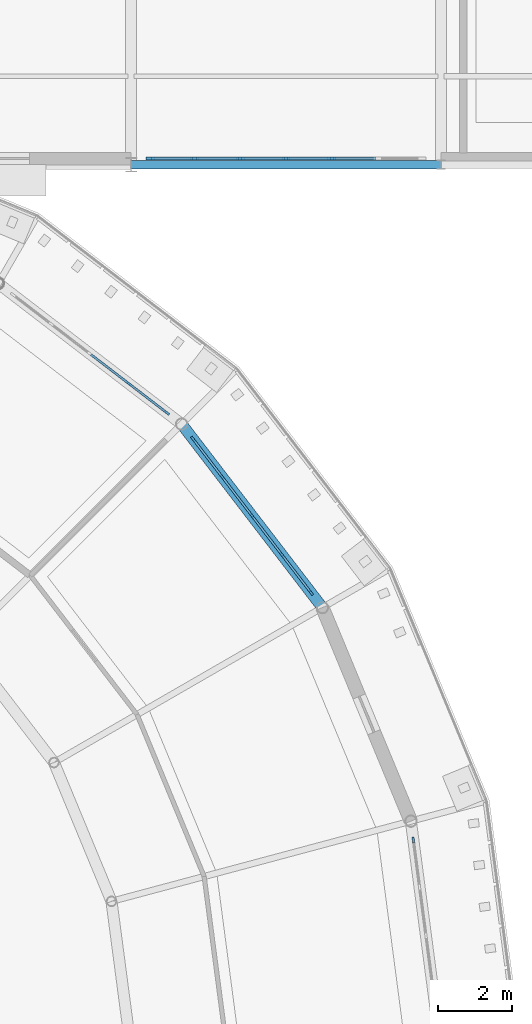
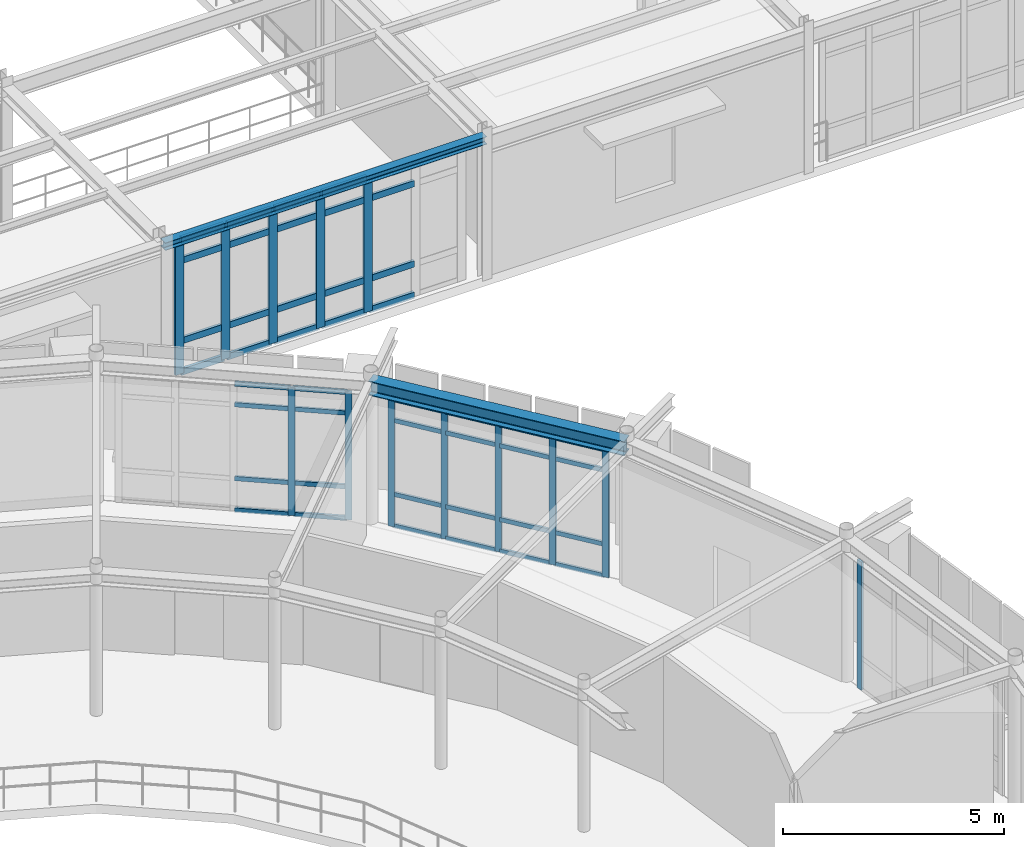
# One storey, part 53 of 90: 56 members, 2 beams, 4 elements without a shape of their own.
"""IFC4 building model written with IfcOpenShell, lengths in metres."""

from ifc_helpers import new_model, si_unit, derived_unit, direction, frame, origin, origin_2d, place, context, subcontext, project, spatial, rectangle, i_section, extrude, material, layer, layer_set, material_profile, profile_set, type_object, element, aggregate, save


model = new_model("IFC4")

# Units and contexts
model_context = context("Model", 3, precision=1e-05, world=origin(), true_north=direction((0.0, 1.0)))
body_context = subcontext(model_context, "Body", "Model", "MODEL_VIEW")
ifc_project = project(units=[si_unit("LENGTHUNIT", "METRE"), si_unit("AREAUNIT", "SQUARE_METRE"), si_unit("VOLUMEUNIT", "CUBIC_METRE"), si_unit("PLANEANGLEUNIT", "RADIAN"), si_unit("MASSUNIT", "GRAM", prefix="KILO"), derived_unit("THERMALTRANSMITTANCEUNIT", [(si_unit("POWERUNIT", "WATT"), 1), (si_unit("AREAUNIT", "SQUARE_METRE"), -1), (si_unit("THERMODYNAMICTEMPERATUREUNIT", "KELVIN"), -1)])], contexts=[model_context])

# Site, building, storey
site_placement = place(None, origin())
site = spatial("IfcSite", under=ifc_project, at=site_placement, CompositionType="ELEMENT")
building_placement = place(site_placement, origin())
building = spatial("IfcBuilding", under=site, at=building_placement, Name="Yasenodar Specialist Clinic", CompositionType="ELEMENT")
storey_placement = place(building_placement, frame((0.0, 0.0, 9.0)))
storey = spatial("IfcBuildingStorey", under=building, at=storey_placement, Name="L02", CompositionType="ELEMENT", Elevation=9.0)

# Beams
ifc_material_1 = material(Name="Steel S355", Category="steel")
ifc_material_profile_1 = material_profile(ifc_material_1, i_section(OverallWidth=0.219970703125, OverallDepth=0.2099609375, WebThickness=0.007080078125, FlangeThickness=0.010986328125, FilletRadius=0.01806640625, at=origin_2d()), Name="HEA 220")
ifc_profile_set_1 = profile_set([ifc_material_profile_1], Name="Steel S355")
beam_type_1 = type_object("IfcBeamType", Name="BM-HEA220", PredefinedType="BEAM", material=ifc_profile_set_1)
beam_1_placement = place(storey_placement, frame((96.60009765625, 82.800048828125, 3.844970703125), z_axis=(1.0, 0.0, 0.0), x_axis=(0.0, 1.0, 0.0)))
element("IfcBeam", 1, at=beam_1_placement, inside=storey, type_object=beam_type_1, Name="L02 Primary E-W Girder", PredefinedType="BEAM", context=body_context, shape_type="SweptSolid", body=[
    extrude(i_section(OverallWidth=0.219970703125, OverallDepth=0.2099609375, WebThickness=0.007080078125, FlangeThickness=0.010986328125, FilletRadius=0.01806640625, at=origin_2d()), origin(), (0.0, 0.0, 1.0), 8.39990234375),
])
ifc_material_profile_2 = material_profile(ifc_material_1, i_section(OverallWidth=0.300048828125, OverallDepth=0.389892578125, WebThickness=0.010986328125, FlangeThickness=0.01904296875, FilletRadius=0.027099609375, at=origin_2d()), Name="HEA 400")
ifc_profile_set_2 = profile_set([ifc_material_profile_2], Name="Steel S355")
beam_type_2 = type_object("IfcBeamType", Name="BM-HEA400", PredefinedType="BEAM", material=ifc_profile_set_2)
beam_2_placement = place(storey_placement, frame((101.78466796875, 70.800048828125, 3.7548828125), z_axis=(-0.608761180103, 0.793353531283, 0.0), x_axis=(-0.793353531283, -0.608761180103, 0.0)))
element("IfcBeam", 2, at=beam_2_placement, inside=storey, type_object=beam_type_2, Name="L02 Drum V1 Perimeter Ring Beam", PredefinedType="BEAM", context=body_context, shape_type="SweptSolid", body=[
    extrude(i_section(OverallWidth=0.300048828125, OverallDepth=0.389892578125, WebThickness=0.010986328125, FlangeThickness=0.01904296875, FilletRadius=0.027099609375, at=origin_2d()), origin(), (0.0, 0.0, 1.0), 6.26513671875),
])

# Curtain wall, member
ifc_material_2 = material(Name="Bronze Anodized Aluminium and Triple Low-E Glass", Category="aluminium")
ifc_layer_1 = layer(ifc_material_2, 0.1669921875)
ifc_layer_set_1 = layer_set([ifc_layer_1], Name="Bronze Anodized Aluminium and Triple Low-E Glass")
curtain_wall_type_1 = type_object("IfcCurtainWallType", Name="CW-SYS-01", PredefinedType="USERDEFINED", material=ifc_layer_set_1)
curtain_wall_1_placement = place(storey_placement, origin())
curtain_wall_1 = element("IfcCurtainWall", 3, at=curtain_wall_1_placement, inside=storey, type_object=curtain_wall_type_1, Name="L02 Unitised Curtain Wall 026", ObjectType="UNITISED CURTAIN WALL", PredefinedType="USERDEFINED")
ifc_material_3 = material(Name="Bronze Anodized Aluminium", Category="aluminium")
ifc_material_profile_3 = material_profile(ifc_material_3, rectangle(XDim=0.06005859375, YDim=0.159912109375, at=origin_2d()), Name="CW-MULL 60x160")
ifc_profile_set_3 = profile_set([ifc_material_profile_3], Name="Bronze Anodized Aluminium")
member_type_1 = type_object("IfcMemberType", Name="CW-MULL-160", PredefinedType="MULLION", material=ifc_profile_set_3)
member_1_placement = place(storey_placement, frame((104.248779296875, 64.506103515625, 0.0), z_axis=(0.0, 0.0, 1.0), x_axis=(0.991446787601, 0.13051156024, 0.0)))
member_1 = element("IfcMember", 4, at=member_1_placement, type_object=member_type_1, Name="CW-01 mullion 1", PredefinedType="MULLION", context=body_context, shape_type="SweptSolid", body=[
    extrude(rectangle(XDim=0.06005859375, YDim=0.159912109375, at=origin_2d()), origin(), (0.0, 0.0, 1.0), 3.5380859375),
])
aggregate(curtain_wall_1, [member_1])

# Curtain wall, members
curtain_wall_2_placement = place(storey_placement, origin())
curtain_wall_2 = element("IfcCurtainWall", 5, at=curtain_wall_2_placement, inside=storey, type_object=curtain_wall_type_1, Name="L02 Unitised Curtain Wall 027", ObjectType="UNITISED CURTAIN WALL", PredefinedType="USERDEFINED")
member_2_placement = place(storey_placement, frame((98.281005859375, 75.365966796875, 0.0), z_axis=(0.0, 0.0, 1.0), x_axis=(0.793360558574, 0.608752021844, 0.0)))
member_2 = element("IfcMember", 6, at=member_2_placement, type_object=member_type_1, Name="CW-01 mullion 1", PredefinedType="MULLION", context=body_context, shape_type="SweptSolid", body=[
    extrude(rectangle(XDim=0.06005859375, YDim=0.159912109375, at=origin_2d()), origin(), (0.0, 0.0, 1.0), 3.5380859375),
])
member_3_placement = place(storey_placement, frame((99.0703125, 74.337646484375, 0.0), z_axis=(0.0, 0.0, 1.0), x_axis=(0.793360558574, 0.608752021844, 0.0)))
member_3 = element("IfcMember", 7, at=member_3_placement, type_object=member_type_1, Name="CW-01 mullion 2", PredefinedType="MULLION", context=body_context, shape_type="SweptSolid", body=[
    extrude(rectangle(XDim=0.06005859375, YDim=0.159912109375, at=origin_2d()), origin(), (0.0, 0.0, 1.0), 3.5380859375),
])
member_4_placement = place(storey_placement, frame((99.877685546875, 73.285400390625, 0.0), z_axis=(0.0, 0.0, 1.0), x_axis=(0.793360558574, 0.608752021844, 0.0)))
member_4 = element("IfcMember", 8, at=member_4_placement, type_object=member_type_1, Name="CW-01 mullion 3", PredefinedType="MULLION", context=body_context, shape_type="SweptSolid", body=[
    extrude(rectangle(XDim=0.06005859375, YDim=0.159912109375, at=origin_2d()), origin(), (0.0, 0.0, 1.0), 3.5380859375),
])
member_5_placement = place(storey_placement, frame((100.68505859375, 72.233154296875, 0.0), z_axis=(0.0, 0.0, 1.0), x_axis=(0.793360558574, 0.608752021844, 0.0)))
member_5 = element("IfcMember", 9, at=member_5_placement, type_object=member_type_1, Name="CW-01 mullion 4", PredefinedType="MULLION", context=body_context, shape_type="SweptSolid", body=[
    extrude(rectangle(XDim=0.06005859375, YDim=0.159912109375, at=origin_2d()), origin(), (0.0, 0.0, 1.0), 3.5380859375),
])
member_6_placement = place(storey_placement, frame((101.47412109375, 71.20458984375, 0.0), z_axis=(0.0, 0.0, 1.0), x_axis=(0.793360558574, 0.608752021844, 0.0)))
member_6 = element("IfcMember", 10, at=member_6_placement, type_object=member_type_1, Name="CW-01 mullion 5", PredefinedType="MULLION", context=body_context, shape_type="SweptSolid", body=[
    extrude(rectangle(XDim=0.06005859375, YDim=0.159912109375, at=origin_2d()), origin(), (0.0, 0.0, 1.0), 3.5380859375),
])

curtain_wall_3_placement = place(storey_placement, origin())
curtain_wall_3 = element("IfcCurtainWall", 11, at=curtain_wall_3_placement, inside=storey, type_object=curtain_wall_type_1, Name="L02 Unitised Curtain Wall 028", ObjectType="UNITISED CURTAIN WALL", PredefinedType="USERDEFINED")
member_7_placement = place(storey_placement, frame((96.53759765625, 76.8701171875, 0.0), z_axis=(0.0, 0.0, 1.0), x_axis=(0.608752021844, 0.793360558574, 0.0)))
member_7 = element("IfcMember", 12, at=member_7_placement, type_object=member_type_1, Name="CW-01 mullion 4", PredefinedType="MULLION", context=body_context, shape_type="SweptSolid", body=[
    extrude(rectangle(XDim=0.06005859375, YDim=0.159912109375, at=origin_2d()), origin(), (0.0, 0.0, 1.0), 3.5380859375),
])
member_8_placement = place(storey_placement, frame((97.56591796875, 76.0810546875, 0.0), z_axis=(0.0, 0.0, 1.0), x_axis=(0.608752021844, 0.793360558574, 0.0)))
member_8 = element("IfcMember", 13, at=member_8_placement, type_object=member_type_1, Name="CW-01 mullion 5", PredefinedType="MULLION", context=body_context, shape_type="SweptSolid", body=[
    extrude(rectangle(XDim=0.06005859375, YDim=0.159912109375, at=origin_2d()), origin(), (0.0, 0.0, 1.0), 3.5380859375),
])

ifc_layer_2 = layer(ifc_material_2, 0.215087890625)
ifc_layer_set_2 = layer_set([ifc_layer_2], Name="Bronze Anodized Aluminium and Triple Low-E Glass")
curtain_wall_type_2 = type_object("IfcCurtainWallType", Name="CW-SYS-05", PredefinedType="USERDEFINED", material=ifc_layer_set_2)
curtain_wall_4_placement = place(storey_placement, origin())
curtain_wall_4 = element("IfcCurtainWall", 14, at=curtain_wall_4_placement, inside=storey, type_object=curtain_wall_type_2, Name="L02 Unitised Curtain Wall 155", ObjectType="UNITISED CURTAIN WALL", PredefinedType="USERDEFINED")
ifc_material_profile_4 = material_profile(ifc_material_3, rectangle(XDim=0.074951171875, YDim=0.22509765625, at=origin_2d()), Name="CW-MULL 75x225")
ifc_profile_set_4 = profile_set([ifc_material_profile_4], Name="Bronze Anodized Aluminium")
member_type_2 = type_object("IfcMemberType", Name="CW-MULL-225", PredefinedType="MULLION", material=ifc_profile_set_4)
member_9_placement = place(storey_placement, frame((102.0400390625, 82.969970703125, 0.0), z_axis=(0.0, 0.0, 1.0), x_axis=(0.0, -1.0, 0.0)))
member_9 = element("IfcMember", 15, at=member_9_placement, type_object=member_type_2, Name="CW-05 mullion 3", PredefinedType="MULLION", context=body_context, shape_type="SweptSolid", body=[
    extrude(rectangle(XDim=0.074951171875, YDim=0.22509765625, at=origin_2d()), origin(), (0.0, 0.0, 1.0), 3.718017578125),
])
member_10_placement = place(storey_placement, frame((100.800048828125, 82.969970703125, 0.0), z_axis=(0.0, 0.0, 1.0), x_axis=(0.0, -1.0, 0.0)))
member_10 = element("IfcMember", 16, at=member_10_placement, type_object=member_type_2, Name="CW-05 mullion 4", PredefinedType="MULLION", context=body_context, shape_type="SweptSolid", body=[
    extrude(rectangle(XDim=0.074951171875, YDim=0.22509765625, at=origin_2d()), origin(), (0.0, 0.0, 1.0), 3.718017578125),
])
member_11_placement = place(storey_placement, frame((99.56005859375, 82.969970703125, 0.0), z_axis=(0.0, 0.0, 1.0), x_axis=(0.0, -1.0, 0.0)))
member_11 = element("IfcMember", 17, at=member_11_placement, type_object=member_type_2, Name="CW-05 mullion 5", PredefinedType="MULLION", context=body_context, shape_type="SweptSolid", body=[
    extrude(rectangle(XDim=0.074951171875, YDim=0.22509765625, at=origin_2d()), origin(), (0.0, 0.0, 1.0), 3.718017578125),
])
member_12_placement = place(storey_placement, frame((98.320068359375, 82.969970703125, 0.0), z_axis=(0.0, 0.0, 1.0), x_axis=(0.0, -1.0, 0.0)))
member_12 = element("IfcMember", 18, at=member_12_placement, type_object=member_type_2, Name="CW-05 mullion 6", PredefinedType="MULLION", context=body_context, shape_type="SweptSolid", body=[
    extrude(rectangle(XDim=0.074951171875, YDim=0.22509765625, at=origin_2d()), origin(), (0.0, 0.0, 1.0), 3.718017578125),
])
member_13_placement = place(storey_placement, frame((97.117431640625, 82.969970703125, 0.0), z_axis=(0.0, 0.0, 1.0), x_axis=(0.0, -1.0, 0.0)))
member_13 = element("IfcMember", 19, at=member_13_placement, type_object=member_type_2, Name="CW-05 mullion 7", PredefinedType="MULLION", context=body_context, shape_type="SweptSolid", body=[
    extrude(rectangle(XDim=0.074951171875, YDim=0.22509765625, at=origin_2d()), origin(), (0.0, 0.0, 1.0), 3.718017578125),
])

# Member
ifc_material_profile_5 = material_profile(ifc_material_3, rectangle(XDim=0.06005859375, YDim=0.1201171875, at=origin_2d()), Name="CW-TRAN 60x120")
ifc_profile_set_5 = profile_set([ifc_material_profile_5], Name="Bronze Anodized Aluminium")
member_type_3 = type_object("IfcMemberType", Name="CW-TRAN-120", PredefinedType="USERDEFINED", material=ifc_profile_set_5)
member_14_placement = place(storey_placement, frame((98.29931640625, 75.34228515625, 0.030029296875), z_axis=(0.608746535642, -0.793364768151, 0.0), x_axis=(0.793364768151, 0.608746535642, 0.0)))
member_14 = element("IfcMember", 20, at=member_14_placement, type_object=member_type_3, Name="CW-01 transom 1.1", ObjectType="TRANSOM", PredefinedType="USERDEFINED", context=body_context, shape_type="SweptSolid", body=[
    extrude(rectangle(XDim=0.06005859375, YDim=0.1201171875, at=origin_2d()), origin(), (0.0, 0.0, 1.0), 1.236572265625),
])

member_15_placement = place(storey_placement, frame((98.29931640625, 75.34228515625, 0.89990234375), z_axis=(0.608746535642, -0.793364768151, 0.0), x_axis=(0.793364768151, 0.608746535642, 0.0)))
member_15 = element("IfcMember", 21, at=member_15_placement, type_object=member_type_3, Name="CW-01 transom 1.2", ObjectType="TRANSOM", PredefinedType="USERDEFINED", context=body_context, shape_type="SweptSolid", body=[
    extrude(rectangle(XDim=0.06005859375, YDim=0.1201171875, at=origin_2d()), origin(), (0.0, 0.0, 1.0), 1.236572265625),
])

member_16_placement = place(storey_placement, frame((98.29931640625, 75.34228515625, 2.93798828125), z_axis=(0.608746535642, -0.793364768151, 0.0), x_axis=(0.793364768151, 0.608746535642, 0.0)))
member_16 = element("IfcMember", 22, at=member_16_placement, type_object=member_type_3, Name="CW-01 transom 1.3", ObjectType="TRANSOM", PredefinedType="USERDEFINED", context=body_context, shape_type="SweptSolid", body=[
    extrude(rectangle(XDim=0.06005859375, YDim=0.1201171875, at=origin_2d()), origin(), (0.0, 0.0, 1.0), 1.236572265625),
])

member_17_placement = place(storey_placement, frame((98.29931640625, 75.34228515625, 3.508056640625), z_axis=(0.608746535642, -0.793364768151, 0.0), x_axis=(0.793364768151, 0.608746535642, 0.0)))
member_17 = element("IfcMember", 23, at=member_17_placement, type_object=member_type_3, Name="CW-01 transom 1.4", ObjectType="TRANSOM", PredefinedType="USERDEFINED", context=body_context, shape_type="SweptSolid", body=[
    extrude(rectangle(XDim=0.06005859375, YDim=0.1201171875, at=origin_2d()), origin(), (0.0, 0.0, 1.0), 1.236572265625),
])

member_18_placement = place(storey_placement, frame((99.08837890625, 74.313720703125, 0.030029296875), z_axis=(0.608815963567, -0.793311491475, 0.0), x_axis=(0.793311491475, 0.608815963567, 0.0)))
member_18 = element("IfcMember", 24, at=member_18_placement, type_object=member_type_3, Name="CW-01 transom 2.1", ObjectType="TRANSOM", PredefinedType="USERDEFINED", context=body_context, shape_type="SweptSolid", body=[
    extrude(rectangle(XDim=0.06005859375, YDim=0.1201171875, at=origin_2d()), origin(), (0.0, 0.0, 1.0), 1.266357421875),
])

member_19_placement = place(storey_placement, frame((99.08837890625, 74.313720703125, 0.89990234375), z_axis=(0.608815963567, -0.793311491475, 0.0), x_axis=(0.793311491475, 0.608815963567, 0.0)))
member_19 = element("IfcMember", 25, at=member_19_placement, type_object=member_type_3, Name="CW-01 transom 2.2", ObjectType="TRANSOM", PredefinedType="USERDEFINED", context=body_context, shape_type="SweptSolid", body=[
    extrude(rectangle(XDim=0.06005859375, YDim=0.1201171875, at=origin_2d()), origin(), (0.0, 0.0, 1.0), 1.266357421875),
])

member_20_placement = place(storey_placement, frame((99.08837890625, 74.313720703125, 2.93798828125), z_axis=(0.608815963567, -0.793311491475, 0.0), x_axis=(0.793311491475, 0.608815963567, 0.0)))
member_20 = element("IfcMember", 26, at=member_20_placement, type_object=member_type_3, Name="CW-01 transom 2.3", ObjectType="TRANSOM", PredefinedType="USERDEFINED", context=body_context, shape_type="SweptSolid", body=[
    extrude(rectangle(XDim=0.06005859375, YDim=0.1201171875, at=origin_2d()), origin(), (0.0, 0.0, 1.0), 1.266357421875),
])

member_21_placement = place(storey_placement, frame((99.08837890625, 74.313720703125, 3.508056640625), z_axis=(0.608815963567, -0.793311491475, 0.0), x_axis=(0.793311491475, 0.608815963567, 0.0)))
member_21 = element("IfcMember", 27, at=member_21_placement, type_object=member_type_3, Name="CW-01 transom 2.4", ObjectType="TRANSOM", PredefinedType="USERDEFINED", context=body_context, shape_type="SweptSolid", body=[
    extrude(rectangle(XDim=0.06005859375, YDim=0.1201171875, at=origin_2d()), origin(), (0.0, 0.0, 1.0), 1.266357421875),
])

member_22_placement = place(storey_placement, frame((99.895751953125, 73.261474609375, 0.030029296875), z_axis=(0.608815963567, -0.793311491475, 0.0), x_axis=(0.793311491475, 0.608815963567, 0.0)))
member_22 = element("IfcMember", 28, at=member_22_placement, type_object=member_type_3, Name="CW-01 transom 3.1", ObjectType="TRANSOM", PredefinedType="USERDEFINED", context=body_context, shape_type="SweptSolid", body=[
    extrude(rectangle(XDim=0.06005859375, YDim=0.1201171875, at=origin_2d()), origin(), (0.0, 0.0, 1.0), 1.266357421875),
])

member_23_placement = place(storey_placement, frame((99.895751953125, 73.261474609375, 0.89990234375), z_axis=(0.608815963567, -0.793311491475, 0.0), x_axis=(0.793311491475, 0.608815963567, 0.0)))
member_23 = element("IfcMember", 29, at=member_23_placement, type_object=member_type_3, Name="CW-01 transom 3.2", ObjectType="TRANSOM", PredefinedType="USERDEFINED", context=body_context, shape_type="SweptSolid", body=[
    extrude(rectangle(XDim=0.06005859375, YDim=0.1201171875, at=origin_2d()), origin(), (0.0, 0.0, 1.0), 1.266357421875),
])

member_24_placement = place(storey_placement, frame((99.895751953125, 73.261474609375, 2.93798828125), z_axis=(0.608815963567, -0.793311491475, 0.0), x_axis=(0.793311491475, 0.608815963567, 0.0)))
member_24 = element("IfcMember", 30, at=member_24_placement, type_object=member_type_3, Name="CW-01 transom 3.3", ObjectType="TRANSOM", PredefinedType="USERDEFINED", context=body_context, shape_type="SweptSolid", body=[
    extrude(rectangle(XDim=0.06005859375, YDim=0.1201171875, at=origin_2d()), origin(), (0.0, 0.0, 1.0), 1.266357421875),
])

member_25_placement = place(storey_placement, frame((99.895751953125, 73.261474609375, 3.508056640625), z_axis=(0.608815963567, -0.793311491475, 0.0), x_axis=(0.793311491475, 0.608815963567, 0.0)))
member_25 = element("IfcMember", 31, at=member_25_placement, type_object=member_type_3, Name="CW-01 transom 3.4", ObjectType="TRANSOM", PredefinedType="USERDEFINED", context=body_context, shape_type="SweptSolid", body=[
    extrude(rectangle(XDim=0.06005859375, YDim=0.1201171875, at=origin_2d()), origin(), (0.0, 0.0, 1.0), 1.266357421875),
])

member_26_placement = place(storey_placement, frame((100.703369140625, 72.209228515625, 0.030029296875), z_axis=(0.608717606417, -0.793386964626, 0.0), x_axis=(0.793386964626, 0.608717606417, 0.0)))
member_26 = element("IfcMember", 32, at=member_26_placement, type_object=member_type_3, Name="CW-01 transom 4.1", ObjectType="TRANSOM", PredefinedType="USERDEFINED", context=body_context, shape_type="SweptSolid", body=[
    extrude(rectangle(XDim=0.06005859375, YDim=0.1201171875, at=origin_2d()), origin(), (0.0, 0.0, 1.0), 1.236083984375),
])

member_27_placement = place(storey_placement, frame((100.703369140625, 72.209228515625, 0.89990234375), z_axis=(0.608717606417, -0.793386964626, 0.0), x_axis=(0.793386964626, 0.608717606417, 0.0)))
member_27 = element("IfcMember", 33, at=member_27_placement, type_object=member_type_3, Name="CW-01 transom 4.2", ObjectType="TRANSOM", PredefinedType="USERDEFINED", context=body_context, shape_type="SweptSolid", body=[
    extrude(rectangle(XDim=0.06005859375, YDim=0.1201171875, at=origin_2d()), origin(), (0.0, 0.0, 1.0), 1.236083984375),
])

member_28_placement = place(storey_placement, frame((100.703369140625, 72.209228515625, 2.93798828125), z_axis=(0.608717606417, -0.793386964626, 0.0), x_axis=(0.793386964626, 0.608717606417, 0.0)))
member_28 = element("IfcMember", 34, at=member_28_placement, type_object=member_type_3, Name="CW-01 transom 4.3", ObjectType="TRANSOM", PredefinedType="USERDEFINED", context=body_context, shape_type="SweptSolid", body=[
    extrude(rectangle(XDim=0.06005859375, YDim=0.1201171875, at=origin_2d()), origin(), (0.0, 0.0, 1.0), 1.236083984375),
])

member_29_placement = place(storey_placement, frame((100.703369140625, 72.209228515625, 3.508056640625), z_axis=(0.608717606417, -0.793386964626, 0.0), x_axis=(0.793386964626, 0.608717606417, 0.0)))
member_29 = element("IfcMember", 35, at=member_29_placement, type_object=member_type_3, Name="CW-01 transom 4.4", ObjectType="TRANSOM", PredefinedType="USERDEFINED", context=body_context, shape_type="SweptSolid", body=[
    extrude(rectangle(XDim=0.06005859375, YDim=0.1201171875, at=origin_2d()), origin(), (0.0, 0.0, 1.0), 1.236083984375),
])

aggregate(curtain_wall_2, [member_2, member_3, member_4, member_5, member_6, member_14, member_15, member_16, member_17, member_18, member_19, member_20, member_21, member_22, member_23, member_24, member_25, member_26, member_27, member_28, member_29])

member_30_placement = place(storey_placement, frame((95.509033203125, 77.659423828125, 0.030029296875), z_axis=(0.793311491475, -0.608815963567, 0.0), x_axis=(0.608815963567, 0.793311491475, 0.0)))
member_30 = element("IfcMember", 36, at=member_30_placement, type_object=member_type_3, Name="CW-01 transom 3.1", ObjectType="TRANSOM", PredefinedType="USERDEFINED", context=body_context, shape_type="SweptSolid", body=[
    extrude(rectangle(XDim=0.06005859375, YDim=0.1201171875, at=origin_2d()), origin(), (0.0, 0.0, 1.0), 1.266357421875),
])

member_31_placement = place(storey_placement, frame((95.509033203125, 77.659423828125, 0.89990234375), z_axis=(0.793311491475, -0.608815963567, 0.0), x_axis=(0.608815963567, 0.793311491475, 0.0)))
member_31 = element("IfcMember", 37, at=member_31_placement, type_object=member_type_3, Name="CW-01 transom 3.2", ObjectType="TRANSOM", PredefinedType="USERDEFINED", context=body_context, shape_type="SweptSolid", body=[
    extrude(rectangle(XDim=0.06005859375, YDim=0.1201171875, at=origin_2d()), origin(), (0.0, 0.0, 1.0), 1.266357421875),
])

member_32_placement = place(storey_placement, frame((95.509033203125, 77.659423828125, 2.93798828125), z_axis=(0.793311491475, -0.608815963567, 0.0), x_axis=(0.608815963567, 0.793311491475, 0.0)))
member_32 = element("IfcMember", 38, at=member_32_placement, type_object=member_type_3, Name="CW-01 transom 3.3", ObjectType="TRANSOM", PredefinedType="USERDEFINED", context=body_context, shape_type="SweptSolid", body=[
    extrude(rectangle(XDim=0.06005859375, YDim=0.1201171875, at=origin_2d()), origin(), (0.0, 0.0, 1.0), 1.266357421875),
])

member_33_placement = place(storey_placement, frame((95.509033203125, 77.659423828125, 3.508056640625), z_axis=(0.793311491475, -0.608815963567, 0.0), x_axis=(0.608815963567, 0.793311491475, 0.0)))
member_33 = element("IfcMember", 39, at=member_33_placement, type_object=member_type_3, Name="CW-01 transom 3.4", ObjectType="TRANSOM", PredefinedType="USERDEFINED", context=body_context, shape_type="SweptSolid", body=[
    extrude(rectangle(XDim=0.06005859375, YDim=0.1201171875, at=origin_2d()), origin(), (0.0, 0.0, 1.0), 1.266357421875),
])

member_34_placement = place(storey_placement, frame((96.561279296875, 76.85205078125, 0.030029296875), z_axis=(0.793364768151, -0.608746535642, 0.0), x_axis=(0.608746535642, 0.793364768151, 0.0)))
member_34 = element("IfcMember", 40, at=member_34_placement, type_object=member_type_3, Name="CW-01 transom 4.1", ObjectType="TRANSOM", PredefinedType="USERDEFINED", context=body_context, shape_type="SweptSolid", body=[
    extrude(rectangle(XDim=0.06005859375, YDim=0.1201171875, at=origin_2d()), origin(), (0.0, 0.0, 1.0), 1.236572265625),
])

member_35_placement = place(storey_placement, frame((96.561279296875, 76.85205078125, 0.89990234375), z_axis=(0.793364768151, -0.608746535642, 0.0), x_axis=(0.608746535642, 0.793364768151, 0.0)))
member_35 = element("IfcMember", 41, at=member_35_placement, type_object=member_type_3, Name="CW-01 transom 4.2", ObjectType="TRANSOM", PredefinedType="USERDEFINED", context=body_context, shape_type="SweptSolid", body=[
    extrude(rectangle(XDim=0.06005859375, YDim=0.1201171875, at=origin_2d()), origin(), (0.0, 0.0, 1.0), 1.236572265625),
])

member_36_placement = place(storey_placement, frame((96.561279296875, 76.85205078125, 2.93798828125), z_axis=(0.793364768151, -0.608746535642, 0.0), x_axis=(0.608746535642, 0.793364768151, 0.0)))
member_36 = element("IfcMember", 42, at=member_36_placement, type_object=member_type_3, Name="CW-01 transom 4.3", ObjectType="TRANSOM", PredefinedType="USERDEFINED", context=body_context, shape_type="SweptSolid", body=[
    extrude(rectangle(XDim=0.06005859375, YDim=0.1201171875, at=origin_2d()), origin(), (0.0, 0.0, 1.0), 1.236572265625),
])

member_37_placement = place(storey_placement, frame((96.561279296875, 76.85205078125, 3.508056640625), z_axis=(0.793364768151, -0.608746535642, 0.0), x_axis=(0.608746535642, 0.793364768151, 0.0)))
member_37 = element("IfcMember", 43, at=member_37_placement, type_object=member_type_3, Name="CW-01 transom 4.4", ObjectType="TRANSOM", PredefinedType="USERDEFINED", context=body_context, shape_type="SweptSolid", body=[
    extrude(rectangle(XDim=0.06005859375, YDim=0.1201171875, at=origin_2d()), origin(), (0.0, 0.0, 1.0), 1.236572265625),
])

aggregate(curtain_wall_3, [member_7, member_8, member_30, member_31, member_32, member_33, member_34, member_35, member_36, member_37])

ifc_material_profile_6 = material_profile(ifc_material_3, rectangle(XDim=0.074951171875, YDim=0.175048828125, at=origin_2d()), Name="CW-TRAN 75x175")
ifc_profile_set_6 = profile_set([ifc_material_profile_6], Name="Bronze Anodized Aluminium")
member_type_4 = type_object("IfcMemberType", Name="CW-TRAN-175", PredefinedType="USERDEFINED", material=ifc_profile_set_6)
member_38_placement = place(storey_placement, frame((103.242431640625, 82.969970703125, 0.03759765625), z_axis=(-1.0, 0.0, 0.0), x_axis=(0.0, -1.0, 0.0)))
member_38 = element("IfcMember", 44, at=member_38_placement, type_object=member_type_4, Name="CW-05 transom 2.1", ObjectType="TRANSOM", PredefinedType="USERDEFINED", context=body_context, shape_type="SweptSolid", body=[
    extrude(rectangle(XDim=0.074951171875, YDim=0.175048828125, at=origin_2d()), origin(), (0.0, 0.0, 1.0), 1.1650390625),
])

member_39_placement = place(storey_placement, frame((103.242431640625, 82.969970703125, 0.89990234375), z_axis=(-1.0, 0.0, 0.0), x_axis=(0.0, -1.0, 0.0)))
member_39 = element("IfcMember", 45, at=member_39_placement, type_object=member_type_4, Name="CW-05 transom 2.2", ObjectType="TRANSOM", PredefinedType="USERDEFINED", context=body_context, shape_type="SweptSolid", body=[
    extrude(rectangle(XDim=0.074951171875, YDim=0.175048828125, at=origin_2d()), origin(), (0.0, 0.0, 1.0), 1.1650390625),
])

member_40_placement = place(storey_placement, frame((103.242431640625, 82.969970703125, 3.117919921875), z_axis=(-1.0, 0.0, 0.0), x_axis=(0.0, -1.0, 0.0)))
member_40 = element("IfcMember", 46, at=member_40_placement, type_object=member_type_4, Name="CW-05 transom 2.3", ObjectType="TRANSOM", PredefinedType="USERDEFINED", context=body_context, shape_type="SweptSolid", body=[
    extrude(rectangle(XDim=0.074951171875, YDim=0.175048828125, at=origin_2d()), origin(), (0.0, 0.0, 1.0), 1.1650390625),
])

member_41_placement = place(storey_placement, frame((102.00244140625, 82.969970703125, 0.03759765625), z_axis=(-1.0, 0.0, 0.0), x_axis=(0.0, -1.0, 0.0)))
member_41 = element("IfcMember", 47, at=member_41_placement, type_object=member_type_4, Name="CW-05 transom 3.1", ObjectType="TRANSOM", PredefinedType="USERDEFINED", context=body_context, shape_type="SweptSolid", body=[
    extrude(rectangle(XDim=0.074951171875, YDim=0.175048828125, at=origin_2d()), origin(), (0.0, 0.0, 1.0), 1.1650390625),
])

member_42_placement = place(storey_placement, frame((102.00244140625, 82.969970703125, 0.89990234375), z_axis=(-1.0, 0.0, 0.0), x_axis=(0.0, -1.0, 0.0)))
member_42 = element("IfcMember", 48, at=member_42_placement, type_object=member_type_4, Name="CW-05 transom 3.2", ObjectType="TRANSOM", PredefinedType="USERDEFINED", context=body_context, shape_type="SweptSolid", body=[
    extrude(rectangle(XDim=0.074951171875, YDim=0.175048828125, at=origin_2d()), origin(), (0.0, 0.0, 1.0), 1.1650390625),
])

member_43_placement = place(storey_placement, frame((102.00244140625, 82.969970703125, 3.117919921875), z_axis=(-1.0, 0.0, 0.0), x_axis=(0.0, -1.0, 0.0)))
member_43 = element("IfcMember", 49, at=member_43_placement, type_object=member_type_4, Name="CW-05 transom 3.3", ObjectType="TRANSOM", PredefinedType="USERDEFINED", context=body_context, shape_type="SweptSolid", body=[
    extrude(rectangle(XDim=0.074951171875, YDim=0.175048828125, at=origin_2d()), origin(), (0.0, 0.0, 1.0), 1.1650390625),
])

member_44_placement = place(storey_placement, frame((102.00244140625, 82.969970703125, 3.680419921875), z_axis=(-1.0, 0.0, 0.0), x_axis=(0.0, -1.0, 0.0)))
member_44 = element("IfcMember", 50, at=member_44_placement, type_object=member_type_4, Name="CW-05 transom 3.4", ObjectType="TRANSOM", PredefinedType="USERDEFINED", context=body_context, shape_type="SweptSolid", body=[
    extrude(rectangle(XDim=0.074951171875, YDim=0.175048828125, at=origin_2d()), origin(), (0.0, 0.0, 1.0), 1.1650390625),
])

member_45_placement = place(storey_placement, frame((100.762451171875, 82.969970703125, 0.03759765625), z_axis=(-1.0, 0.0, 0.0), x_axis=(0.0, -1.0, 0.0)))
member_45 = element("IfcMember", 51, at=member_45_placement, type_object=member_type_4, Name="CW-05 transom 4.1", ObjectType="TRANSOM", PredefinedType="USERDEFINED", context=body_context, shape_type="SweptSolid", body=[
    extrude(rectangle(XDim=0.074951171875, YDim=0.175048828125, at=origin_2d()), origin(), (0.0, 0.0, 1.0), 1.1650390625),
])

member_46_placement = place(storey_placement, frame((100.762451171875, 82.969970703125, 0.89990234375), z_axis=(-1.0, 0.0, 0.0), x_axis=(0.0, -1.0, 0.0)))
member_46 = element("IfcMember", 52, at=member_46_placement, type_object=member_type_4, Name="CW-05 transom 4.2", ObjectType="TRANSOM", PredefinedType="USERDEFINED", context=body_context, shape_type="SweptSolid", body=[
    extrude(rectangle(XDim=0.074951171875, YDim=0.175048828125, at=origin_2d()), origin(), (0.0, 0.0, 1.0), 1.1650390625),
])

member_47_placement = place(storey_placement, frame((100.762451171875, 82.969970703125, 3.117919921875), z_axis=(-1.0, 0.0, 0.0), x_axis=(0.0, -1.0, 0.0)))
member_47 = element("IfcMember", 53, at=member_47_placement, type_object=member_type_4, Name="CW-05 transom 4.3", ObjectType="TRANSOM", PredefinedType="USERDEFINED", context=body_context, shape_type="SweptSolid", body=[
    extrude(rectangle(XDim=0.074951171875, YDim=0.175048828125, at=origin_2d()), origin(), (0.0, 0.0, 1.0), 1.1650390625),
])

member_48_placement = place(storey_placement, frame((100.762451171875, 82.969970703125, 3.680419921875), z_axis=(-1.0, 0.0, 0.0), x_axis=(0.0, -1.0, 0.0)))
member_48 = element("IfcMember", 54, at=member_48_placement, type_object=member_type_4, Name="CW-05 transom 4.4", ObjectType="TRANSOM", PredefinedType="USERDEFINED", context=body_context, shape_type="SweptSolid", body=[
    extrude(rectangle(XDim=0.074951171875, YDim=0.175048828125, at=origin_2d()), origin(), (0.0, 0.0, 1.0), 1.1650390625),
])

member_49_placement = place(storey_placement, frame((99.5224609375, 82.969970703125, 0.03759765625), z_axis=(-1.0, 0.0, 0.0), x_axis=(0.0, -1.0, 0.0)))
member_49 = element("IfcMember", 55, at=member_49_placement, type_object=member_type_4, Name="CW-05 transom 5.1", ObjectType="TRANSOM", PredefinedType="USERDEFINED", context=body_context, shape_type="SweptSolid", body=[
    extrude(rectangle(XDim=0.074951171875, YDim=0.175048828125, at=origin_2d()), origin(), (0.0, 0.0, 1.0), 1.1650390625),
])

member_50_placement = place(storey_placement, frame((99.5224609375, 82.969970703125, 0.89990234375), z_axis=(-1.0, 0.0, 0.0), x_axis=(0.0, -1.0, 0.0)))
member_50 = element("IfcMember", 56, at=member_50_placement, type_object=member_type_4, Name="CW-05 transom 5.2", ObjectType="TRANSOM", PredefinedType="USERDEFINED", context=body_context, shape_type="SweptSolid", body=[
    extrude(rectangle(XDim=0.074951171875, YDim=0.175048828125, at=origin_2d()), origin(), (0.0, 0.0, 1.0), 1.1650390625),
])

member_51_placement = place(storey_placement, frame((99.5224609375, 82.969970703125, 3.117919921875), z_axis=(-1.0, 0.0, 0.0), x_axis=(0.0, -1.0, 0.0)))
member_51 = element("IfcMember", 57, at=member_51_placement, type_object=member_type_4, Name="CW-05 transom 5.3", ObjectType="TRANSOM", PredefinedType="USERDEFINED", context=body_context, shape_type="SweptSolid", body=[
    extrude(rectangle(XDim=0.074951171875, YDim=0.175048828125, at=origin_2d()), origin(), (0.0, 0.0, 1.0), 1.1650390625),
])

member_52_placement = place(storey_placement, frame((99.5224609375, 82.969970703125, 3.680419921875), z_axis=(-1.0, 0.0, 0.0), x_axis=(0.0, -1.0, 0.0)))
member_52 = element("IfcMember", 58, at=member_52_placement, type_object=member_type_4, Name="CW-05 transom 5.4", ObjectType="TRANSOM", PredefinedType="USERDEFINED", context=body_context, shape_type="SweptSolid", body=[
    extrude(rectangle(XDim=0.074951171875, YDim=0.175048828125, at=origin_2d()), origin(), (0.0, 0.0, 1.0), 1.1650390625),
])

member_53_placement = place(storey_placement, frame((98.282470703125, 82.969970703125, 0.03759765625), z_axis=(-1.0, 0.0, 0.0), x_axis=(0.0, -1.0, 0.0)))
member_53 = element("IfcMember", 59, at=member_53_placement, type_object=member_type_4, Name="CW-05 transom 6.1", ObjectType="TRANSOM", PredefinedType="USERDEFINED", context=body_context, shape_type="SweptSolid", body=[
    extrude(rectangle(XDim=0.074951171875, YDim=0.175048828125, at=origin_2d()), origin(), (0.0, 0.0, 1.0), 1.12744140625),
])

member_54_placement = place(storey_placement, frame((98.282470703125, 82.969970703125, 0.89990234375), z_axis=(-1.0, 0.0, 0.0), x_axis=(0.0, -1.0, 0.0)))
member_54 = element("IfcMember", 60, at=member_54_placement, type_object=member_type_4, Name="CW-05 transom 6.2", ObjectType="TRANSOM", PredefinedType="USERDEFINED", context=body_context, shape_type="SweptSolid", body=[
    extrude(rectangle(XDim=0.074951171875, YDim=0.175048828125, at=origin_2d()), origin(), (0.0, 0.0, 1.0), 1.12744140625),
])

member_55_placement = place(storey_placement, frame((98.282470703125, 82.969970703125, 3.117919921875), z_axis=(-1.0, 0.0, 0.0), x_axis=(0.0, -1.0, 0.0)))
member_55 = element("IfcMember", 61, at=member_55_placement, type_object=member_type_4, Name="CW-05 transom 6.3", ObjectType="TRANSOM", PredefinedType="USERDEFINED", context=body_context, shape_type="SweptSolid", body=[
    extrude(rectangle(XDim=0.074951171875, YDim=0.175048828125, at=origin_2d()), origin(), (0.0, 0.0, 1.0), 1.12744140625),
])

member_56_placement = place(storey_placement, frame((98.282470703125, 82.969970703125, 3.680419921875), z_axis=(-1.0, 0.0, 0.0), x_axis=(0.0, -1.0, 0.0)))
member_56 = element("IfcMember", 62, at=member_56_placement, type_object=member_type_4, Name="CW-05 transom 6.4", ObjectType="TRANSOM", PredefinedType="USERDEFINED", context=body_context, shape_type="SweptSolid", body=[
    extrude(rectangle(XDim=0.074951171875, YDim=0.175048828125, at=origin_2d()), origin(), (0.0, 0.0, 1.0), 1.12744140625),
])

aggregate(curtain_wall_4, [member_9, member_10, member_11, member_12, member_13, member_38, member_39, member_40, member_41, member_42, member_43, member_44, member_45, member_46, member_47, member_48, member_49, member_50, member_51, member_52, member_53, member_54, member_55, member_56])

save(model, "model.ifc")
